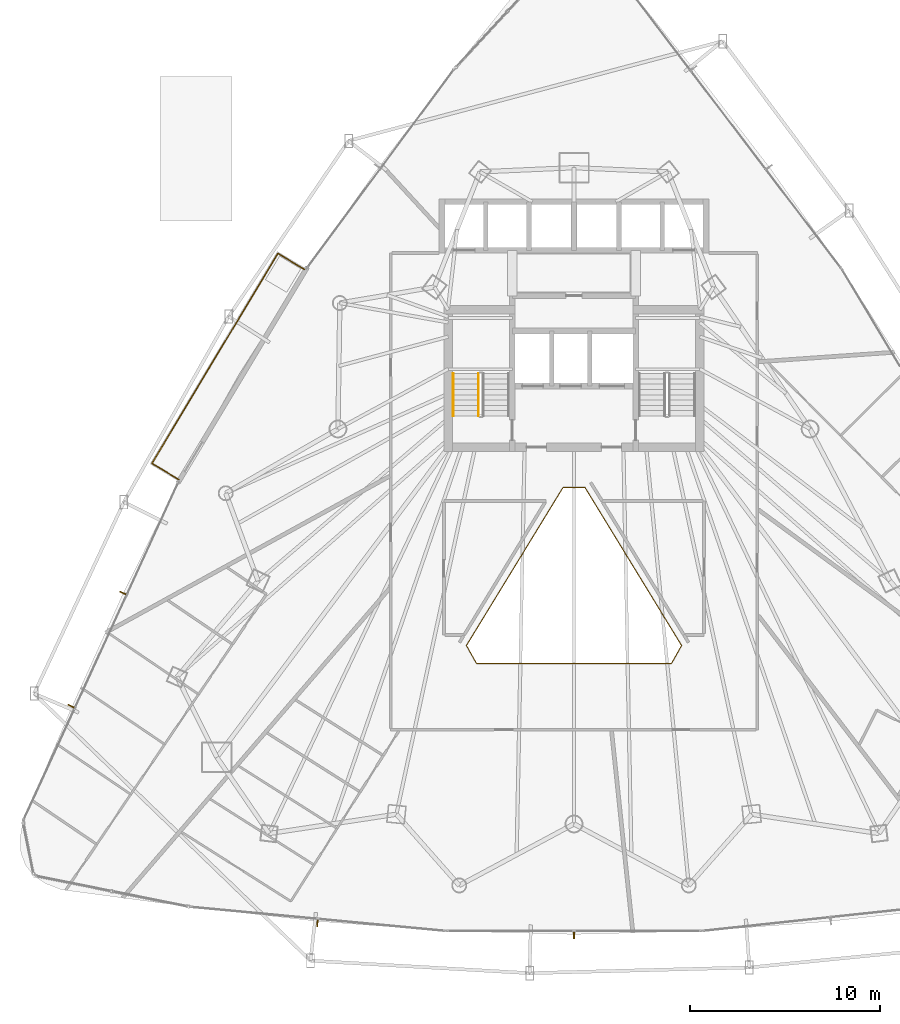
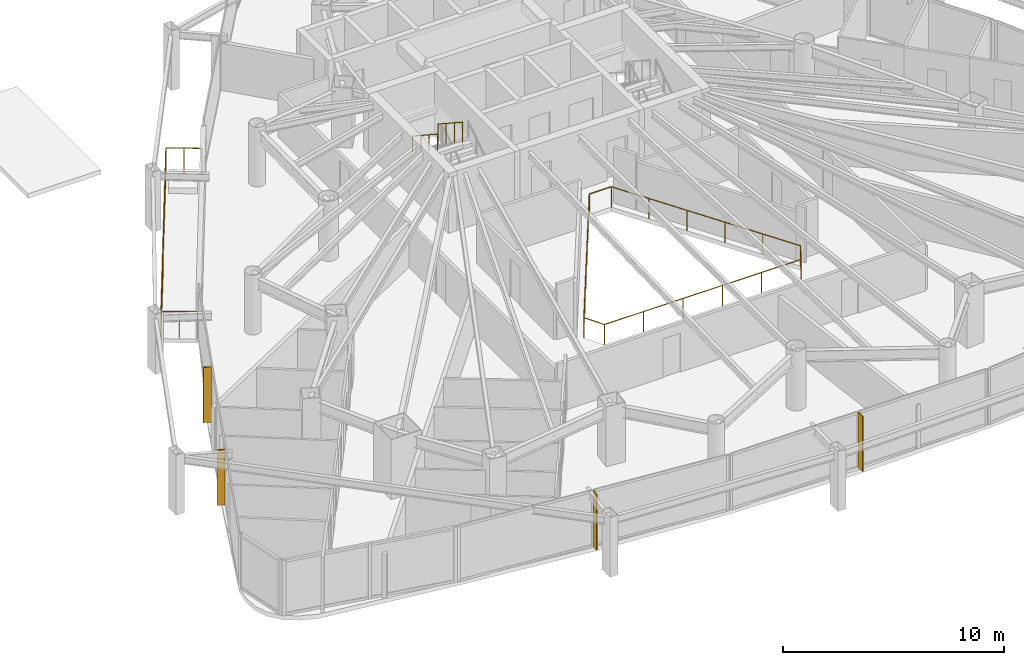
# One storey, part 32 of 35: 4 railings, 4 shading devices.
"""IFC4 building model written with IfcOpenShell, lengths in metres."""

from ifc_helpers import new_model, si_unit, direction, frame, origin, origin_2d, place, context, subcontext, project, spatial, rectangle, circle, extrude, material, layer, layer_set, type_object, element, save


model = new_model("IFC4")

# Units and contexts
model_context = context("Model", 3, precision=1e-05, world=origin(), true_north=direction((0.0, 1.0)))
body_context = subcontext(model_context, "Body", "Model", "MODEL_VIEW")
ifc_project = project(units=[si_unit("LENGTHUNIT", "METRE"), si_unit("AREAUNIT", "SQUARE_METRE"), si_unit("VOLUMEUNIT", "CUBIC_METRE"), si_unit("PLANEANGLEUNIT", "RADIAN"), si_unit("MASSUNIT", "GRAM", prefix="KILO")], contexts=[model_context])

# Site, building, storey
site_placement = place(None, origin())
site = spatial("IfcSite", under=ifc_project, at=site_placement, CompositionType="ELEMENT")
building_placement = place(site_placement, origin())
building = spatial("IfcBuilding", under=site, at=building_placement, Name="Orvanel Arch Residences", CompositionType="ELEMENT")
storey_placement = place(building_placement, frame((0.0, 0.0, 26.89990234375)))
storey = spatial("IfcBuildingStorey", under=building, at=storey_placement, Name="L06", CompositionType="ELEMENT", Elevation=26.89990234375)

# Shading devices
ifc_material_1 = material(Name="Bronze-anodised aluminium AA6063-T6", Category="aluminium")
ifc_layer = layer(ifc_material_1, 0.06005859375)
ifc_layer_set = layer_set([ifc_layer], Name="Bronze-anodised aluminium AA6063-T6")
shading_device_type = type_object("IfcShadingDeviceType", Name="FIN-BRZ-380", PredefinedType="USERDEFINED", material=ifc_layer_set)
for number, where, z_axis, x_axis, name in (
    (1, (9.257080078125, 18.9990234375, 0.0), (0.0, 0.0, 1.0), (-0.909236109047, 0.41628079226, 0.0), "L06 Anodised Bronze Mullion FIN 01"),
    (2, (6.52587890625, 13.0419921875, 0.0), (0.0, 0.0, 1.0), (-0.909236109047, 0.41628079226, 0.0), "L06 Anodised Bronze Mullion FIN 02"),
    (3, (19.490966796875, 1.6240234375, 0.0), (0.0, 0.0, 1.0), (-0.094108313319, -0.995561964603, 0.0), "L06 Anodised Bronze Mullion FIN 01"),
    (4, (33.0, 0.987060546875, 0.0), (0.0, 0.0, 1.0), (0.0, -1.0, 0.0), "L06 Anodised Bronze Mullion FIN 01"),
):
    element("IfcShadingDevice", number, at=place(storey_placement, frame(where, z_axis=z_axis, x_axis=x_axis)), inside=storey, type_object=shading_device_type, Name=name, ObjectType="FIN", PredefinedType="USERDEFINED", context=body_context, shape_type="SweptSolid", body=[
        extrude(rectangle(XDim=0.3798828125, YDim=0.06005859375, at=origin_2d()), origin(), (0.0, 0.0, 1.0), 3.06005859375),
    ])

# Railings
railing_type_1 = type_object("IfcRailingType", Name="RL-ATR-1150", PredefinedType="BALUSTRADE", material=ifc_material_1)
railing_1_placement = place(storey_placement, frame((33.573974609375, 24.56103515625, 0.0)))
element("IfcRailing", 5, at=railing_1_placement, inside=storey, type_object=railing_type_1, Name="L06 Atrium Void Protective Balustrade", PredefinedType="BALUSTRADE", context=body_context, shape_type="SweptSolid", body=[
    extrude(circle(Radius=0.02392578125, at=origin_2d()), frame((-0.00146484375, 0.0, 1.1259765625), z_axis=(-1.0, 0.0, 0.0), x_axis=(0.0, -1.0, 0.0)), (0.0, 0.0, 1.0), 1.14501953125),
    extrude(circle(Radius=0.02392578125, at=origin_2d()), frame((-1.148681640625, -0.001220703125, 1.1259765625), z_axis=(-0.521588691776, -0.853197067864, 0.0), x_axis=(0.853197067864, -0.521588691776, 0.0)), (0.0, 0.0, 1.0), 9.751953125),
    extrude(circle(Radius=0.02392578125, at=origin_2d()), frame((-6.2353515625, -8.32421875, 1.1259765625), z_axis=(0.489894911212, -0.871781495542, 0.0), x_axis=(0.871781495542, 0.489894911212, 0.0)), (0.0, 0.0, 1.0), 1.072998046875),
    extrude(circle(Radius=0.02392578125, at=origin_2d()), frame((-5.70751953125, -9.260986328125, 1.1259765625), z_axis=(1.0, 0.0, 0.0), x_axis=(0.0, 1.0, 0.0)), (0.0, 0.0, 1.0), 10.26708984375),
    extrude(circle(Radius=0.02392578125, at=origin_2d()), frame((4.561767578125, -9.259765625, 1.1259765625), z_axis=(0.489894911212, 0.871781495542, 0.0), x_axis=(-0.871781495542, 0.489894911212, 0.0)), (0.0, 0.0, 1.0), 1.072998046875),
    extrude(circle(Radius=0.02392578125, at=origin_2d()), frame((5.08740234375, -8.32177734375, 1.1259765625), z_axis=(-0.521588691776, 0.853197067864, 0.0), x_axis=(-0.853197067864, -0.521588691776, 0.0)), (0.0, 0.0, 1.0), 9.751953125),
    extrude(circle(Radius=0.02099609375, at=origin_2d()), origin(), (0.0, 0.0, 1.0), 1.099853515625),
    extrude(circle(Radius=0.02099609375, at=origin_2d()), frame((-1.14794921875, 0.0, 0.0)), (0.0, 0.0, 1.0), 1.099853515625),
    extrude(circle(Radius=0.02099609375, at=origin_2d()), frame((-2.16552734375, -1.66455078125, 0.0)), (0.0, 0.0, 1.0), 1.099853515625),
    extrude(circle(Radius=0.02099609375, at=origin_2d()), frame((-3.18310546875, -3.3291015625, 0.0)), (0.0, 0.0, 1.0), 1.099853515625),
    extrude(circle(Radius=0.02099609375, at=origin_2d()), frame((-4.200927734375, -4.993896484375, 0.0)), (0.0, 0.0, 1.0), 1.099853515625),
    extrude(circle(Radius=0.02099609375, at=origin_2d()), frame((-5.218505859375, -6.658447265625, 0.0)), (0.0, 0.0, 1.0), 1.099853515625),
    extrude(circle(Radius=0.02099609375, at=origin_2d()), frame((-6.236083984375, -8.322998046875, 0.0)), (0.0, 0.0, 1.0), 1.099853515625),
    extrude(circle(Radius=0.02099609375, at=origin_2d()), frame((-5.708984375, -9.260986328125, 0.0)), (0.0, 0.0, 1.0), 1.099853515625),
    extrude(circle(Radius=0.02099609375, at=origin_2d()), frame((-3.655029296875, -9.260986328125, 0.0)), (0.0, 0.0, 1.0), 1.099853515625),
    extrude(circle(Radius=0.02099609375, at=origin_2d()), frame((-1.60107421875, -9.260986328125, 0.0)), (0.0, 0.0, 1.0), 1.099853515625),
    extrude(circle(Radius=0.02099609375, at=origin_2d()), frame((0.453125, -9.260986328125, 0.0)), (0.0, 0.0, 1.0), 1.099853515625),
    extrude(circle(Radius=0.02099609375, at=origin_2d()), frame((2.507080078125, -9.260986328125, 0.0)), (0.0, 0.0, 1.0), 1.099853515625),
    extrude(circle(Radius=0.02099609375, at=origin_2d()), frame((4.56103515625, -9.260986328125, 0.0)), (0.0, 0.0, 1.0), 1.099853515625),
    extrude(circle(Radius=0.02099609375, at=origin_2d()), frame((5.088134765625, -8.322998046875, 0.0)), (0.0, 0.0, 1.0), 1.099853515625),
    extrude(circle(Radius=0.02099609375, at=origin_2d()), frame((4.070556640625, -6.658447265625, 0.0)), (0.0, 0.0, 1.0), 1.099853515625),
    extrude(circle(Radius=0.02099609375, at=origin_2d()), frame((3.052978515625, -4.993896484375, 0.0)), (0.0, 0.0, 1.0), 1.099853515625),
    extrude(circle(Radius=0.02099609375, at=origin_2d()), frame((2.03515625, -3.3291015625, 0.0)), (0.0, 0.0, 1.0), 1.099853515625),
    extrude(circle(Radius=0.02099609375, at=origin_2d()), frame((1.017578125, -1.66455078125, 0.0)), (0.0, 0.0, 1.0), 1.099853515625),
])
railing_type_2 = type_object("IfcRailingType", Name="RL-BAL-1480", PredefinedType="BALUSTRADE", material=ifc_material_1)
railing_2_placement = place(storey_placement, frame((18.81396484375, 36.0380859375, 0.0)))
element("IfcRailing", 6, at=railing_2_placement, inside=storey, type_object=railing_type_2, Name="L06 Balcony Perimeter Guardrail Face 1", PredefinedType="BALUSTRADE", context=body_context, shape_type="SweptSolid", body=[
    extrude(circle(Radius=0.02392578125, at=origin_2d()), frame((-0.001220703125, 0.000732421875, 1.4560546875), z_axis=(-0.857387817543, 0.514670895164, 0.0), x_axis=(-0.514670895164, -0.857387817543, 0.0)), (0.0, 0.0, 1.0), 1.636962890625),
    extrude(circle(Radius=0.02392578125, at=origin_2d()), frame((-1.40673828125, 0.8427734375, 1.4560546875), z_axis=(-0.514403855854, -0.85754805876, 0.0), x_axis=(0.85754805876, -0.514403855854, 0.0)), (0.0, 0.0, 1.0), 12.8896484375),
    extrude(circle(Radius=0.02392578125, at=origin_2d()), frame((-8.036865234375, -10.212890625, 1.4560546875), z_axis=(0.857584807373, -0.514342588322, 0.0), x_axis=(0.514342588322, 0.857584807373, 0.0)), (0.0, 0.0, 1.0), 1.637939453125),
    extrude(circle(Radius=0.02099609375, at=origin_2d()), origin(), (0.0, 0.0, 1.0), 1.429931640625),
    extrude(circle(Radius=0.02099609375, at=origin_2d()), frame((-0.703125, 0.421875, 0.0)), (0.0, 0.0, 1.0), 1.429931640625),
    extrude(circle(Radius=0.02099609375, at=origin_2d()), frame((-1.406005859375, 0.843994140625, 0.0)), (0.0, 0.0, 1.0), 1.429931640625),
    extrude(circle(Radius=0.02099609375, at=origin_2d()), frame((-2.009033203125, -0.1611328125, 0.0)), (0.0, 0.0, 1.0), 1.429931640625),
    extrude(circle(Radius=0.02099609375, at=origin_2d()), frame((-2.61181640625, -1.166259765625, 0.0)), (0.0, 0.0, 1.0), 1.429931640625),
    extrude(circle(Radius=0.02099609375, at=origin_2d()), frame((-3.21484375, -2.17138671875, 0.0)), (0.0, 0.0, 1.0), 1.429931640625),
    extrude(circle(Radius=0.02099609375, at=origin_2d()), frame((-3.817626953125, -3.176513671875, 0.0)), (0.0, 0.0, 1.0), 1.429931640625),
    extrude(circle(Radius=0.02099609375, at=origin_2d()), frame((-4.420654296875, -4.181640625, 0.0)), (0.0, 0.0, 1.0), 1.429931640625),
    extrude(circle(Radius=0.02099609375, at=origin_2d()), frame((-5.0234375, -5.1865234375, 0.0)), (0.0, 0.0, 1.0), 1.429931640625),
    extrude(circle(Radius=0.02099609375, at=origin_2d()), frame((-5.62646484375, -6.191650390625, 0.0)), (0.0, 0.0, 1.0), 1.429931640625),
    extrude(circle(Radius=0.02099609375, at=origin_2d()), frame((-6.229248046875, -7.19677734375, 0.0)), (0.0, 0.0, 1.0), 1.429931640625),
    extrude(circle(Radius=0.02099609375, at=origin_2d()), frame((-6.832275390625, -8.201904296875, 0.0)), (0.0, 0.0, 1.0), 1.429931640625),
    extrude(circle(Radius=0.02099609375, at=origin_2d()), frame((-7.43505859375, -9.20703125, 0.0)), (0.0, 0.0, 1.0), 1.429931640625),
    extrude(circle(Radius=0.02099609375, at=origin_2d()), frame((-8.0380859375, -10.212158203125, 0.0)), (0.0, 0.0, 1.0), 1.429931640625),
    extrude(circle(Radius=0.02099609375, at=origin_2d()), frame((-7.33447265625, -10.63427734375, 0.0)), (0.0, 0.0, 1.0), 1.429931640625),
    extrude(circle(Radius=0.02099609375, at=origin_2d()), frame((-6.630859375, -11.05615234375, 0.0)), (0.0, 0.0, 1.0), 1.429931640625),
])
ifc_material_2 = material(Name="Structural steel AS/NZS 1163 C350L0 (Grade 350)", Category="steel")
railing_type_3 = type_object("IfcRailingType", Name="RL-STAIR-GUARD", PredefinedType="GUARDRAIL", material=ifc_material_2)
railing_3_placement = place(storey_placement, frame((27.969970703125, 30.56005859375, 1.83349609375)))
element("IfcRailing", 7, at=railing_3_placement, inside=storey, type_object=railing_type_3, Name="L06 ST-1 stair guard 3", PredefinedType="GUARDRAIL", context=body_context, shape_type="SweptSolid", body=[
    extrude(circle(Radius=0.02392578125, at=origin_2d()), frame((0.0, -0.001220703125, 1.076904296875), z_axis=(0.0, -0.836636935527, 0.547757827979), x_axis=(1.0, 0.0, 0.0)), (0.0, 0.0, 1.0), 2.67431640625),
    extrude(circle(Radius=0.02099609375, at=origin_2d()), origin(), (0.0, 0.0, 1.0), 1.050048828125),
    extrude(circle(Radius=0.02099609375, at=origin_2d()), frame((0.0, -0.74658203125, 0.48876953125)), (0.0, 0.0, 1.0), 1.050048828125),
    extrude(circle(Radius=0.02099609375, at=origin_2d()), frame((0.0, -1.493408203125, 0.977783203125)), (0.0, 0.0, 1.0), 1.050048828125),
    extrude(circle(Radius=0.02099609375, at=origin_2d()), frame((0.0, -2.239990234375, 1.466552734375)), (0.0, 0.0, 1.0), 1.050048828125),
])
railing_type_4 = type_object("IfcRailingType", Name="RL-STAIR-HAND", PredefinedType="HANDRAIL", material=ifc_material_2)
railing_4_placement = place(storey_placement, frame((26.64990234375, 30.56005859375, 1.83349609375)))
element("IfcRailing", 8, at=railing_4_placement, inside=storey, type_object=railing_type_4, Name="L06 ST-1 stair handrail 2", PredefinedType="HANDRAIL", context=body_context, shape_type="SweptSolid", body=[
    extrude(circle(Radius=0.02392578125, at=origin_2d()), frame((0.0, -0.001220703125, 0.876708984375), z_axis=(0.0, -0.836636935527, 0.547757827979), x_axis=(1.0, 0.0, 0.0)), (0.0, 0.0, 1.0), 2.67431640625),
    extrude(circle(Radius=0.02099609375, at=origin_2d()), origin(), (0.0, 0.0, 1.0), 0.849853515625),
    extrude(circle(Radius=0.02099609375, at=origin_2d()), frame((0.0, -0.74658203125, 0.48876953125)), (0.0, 0.0, 1.0), 0.849853515625),
    extrude(circle(Radius=0.02099609375, at=origin_2d()), frame((0.0, -1.493408203125, 0.977783203125)), (0.0, 0.0, 1.0), 0.849853515625),
    extrude(circle(Radius=0.02099609375, at=origin_2d()), frame((0.0, -2.239990234375, 1.466552734375)), (0.0, 0.0, 1.0), 0.849853515625),
])

save(model, "model.ifc")
